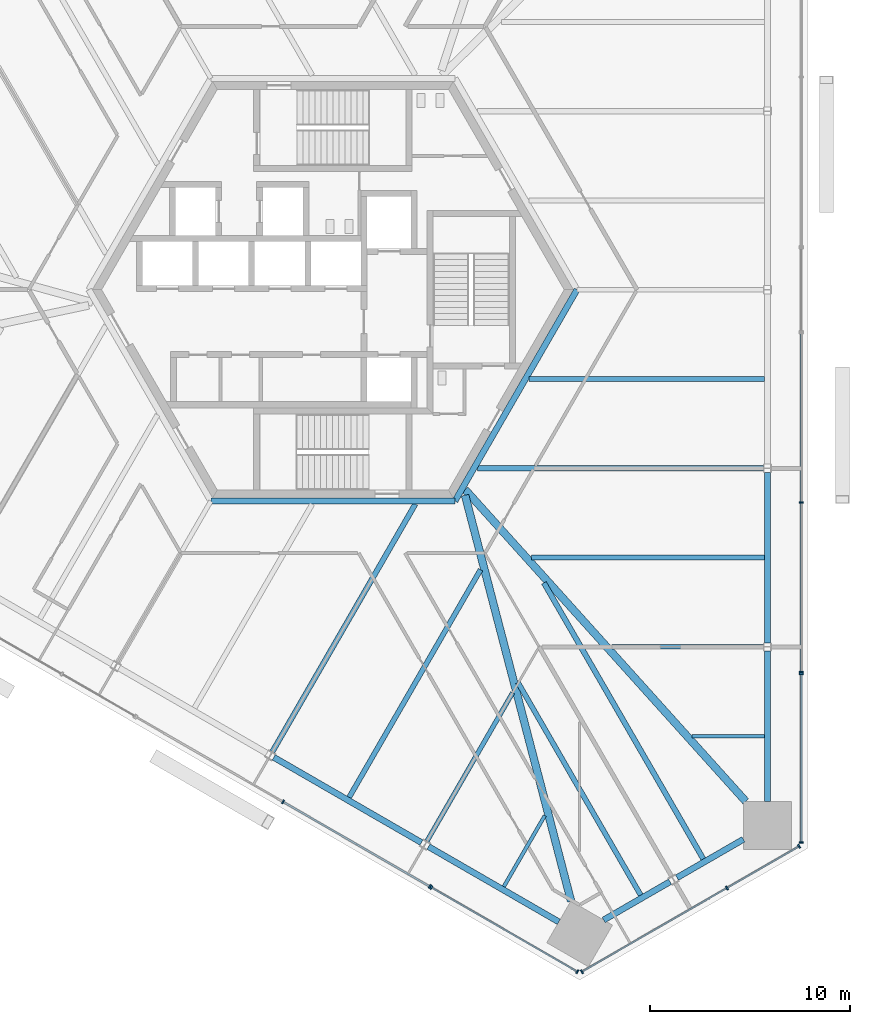
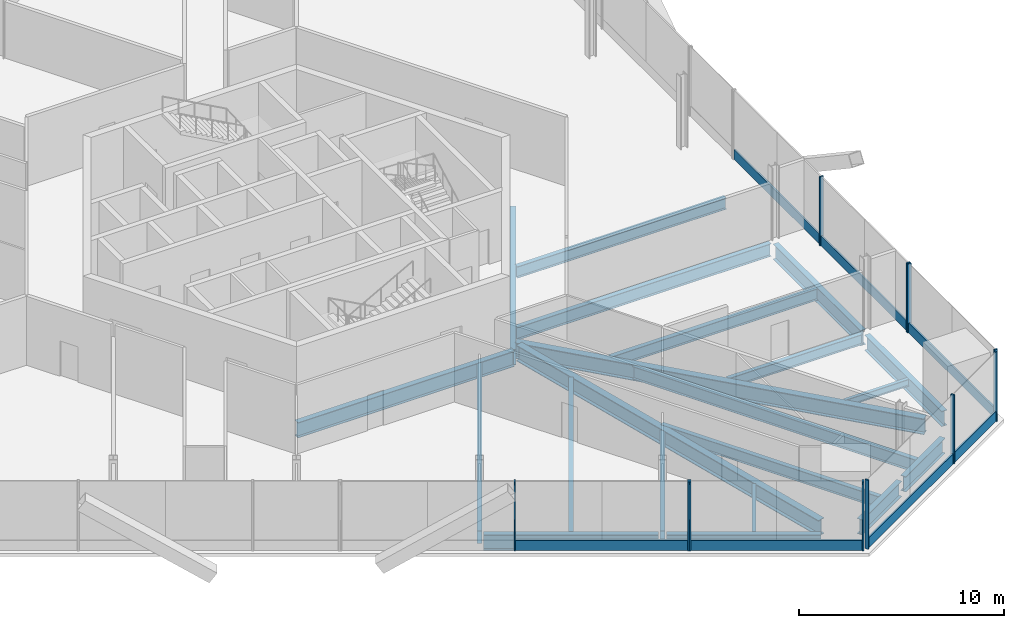
# One storey, part 4 of 16: 21 beams, 18 members, 5 elements without a shape of their own.
"""IFC4 building model written with IfcOpenShell, lengths in metres."""

from ifc_helpers import new_model, si_unit, direction, frame, origin, origin_2d, place, context, subcontext, project, spatial, rectangle, i_section, extrude, source, transform, mapped, material, material_profile, profile_set, type_object, element, aggregate, save


model = new_model("IFC4")

# Units and contexts
model_context = context("Model", 3, precision=1e-05, world=origin(), true_north=direction((0.0, 1.0)))
body_context = subcontext(model_context, "Body", "Model", "MODEL_VIEW")
ifc_project = project(units=[si_unit("LENGTHUNIT", "METRE"), si_unit("AREAUNIT", "SQUARE_METRE"), si_unit("VOLUMEUNIT", "CUBIC_METRE"), si_unit("PLANEANGLEUNIT", "RADIAN"), si_unit("MASSUNIT", "GRAM", prefix="KILO")], contexts=[model_context])

# Site, building, storey
site_placement = place(None, origin())
site = spatial("IfcSite", under=ifc_project, at=site_placement, CompositionType="ELEMENT")
building_placement = place(site_placement, origin())
building = spatial("IfcBuilding", under=site, at=building_placement, Name="Triune Harvest Tower", CompositionType="ELEMENT")
storey_placement = place(building_placement, frame((0.0, 0.0, 37.5)))
storey = spatial("IfcBuildingStorey", under=building, at=storey_placement, Name="L08", CompositionType="ELEMENT", Elevation=37.5)

# Beams
ifc_material_1 = material(Name="Steel ASTM A992 Gr 50", Category="steel")
ifc_material_profile_1 = material_profile(ifc_material_1, i_section(OverallWidth=0.3046875, OverallDepth=0.914306640625, WebThickness=0.0166015625, FlangeThickness=0.02587890625, at=origin_2d()), Name="W36x160")
ifc_profile_set_1 = profile_set([ifc_material_profile_1], Name="Steel ASTM A992 Gr 50")
beam_type_1 = type_object("IfcBeamType", Name="CG-1 Core ring girder W36x160", PredefinedType="BEAM", material=ifc_profile_set_1)
shared_shape_1 = source(origin(), body_context, "Body", "SweptSolid", [
    extrude(i_section(OverallWidth=0.3046875, OverallDepth=0.914306640625, WebThickness=0.0166015625, FlangeThickness=0.02587890625, at=origin_2d()), origin(), (0.0, 0.0, 1.0), 12.176025390625),
])
beam_1_placement = place(storey_placement, frame((6.087890625, -10.544677734375, -0.6572265625), z_axis=(0.5000099932, 0.866019634131, 0.0), x_axis=(-0.866019634131, 0.5000099932, 0.0)))
element("IfcBeam", 1, at=beam_1_placement, inside=storey, type_object=beam_type_1, Name="beam/L08/CG6", PredefinedType="BEAM", context=body_context, shape_type="MappedRepresentation", body=[
    mapped(shared_shape_1, transform((0.0, 0.0, 0.0), scale=1.0)),
])
shared_shape_2 = source(origin(), body_context, "Body", "SweptSolid", [
    extrude(i_section(OverallWidth=0.3046875, OverallDepth=0.914306640625, WebThickness=0.0166015625, FlangeThickness=0.02587890625, at=origin_2d()), origin(), (0.0, 0.0, 1.0), 12.17578125),
])
beam_2_placement = place(storey_placement, frame((-6.087890625, -10.544677734375, -0.6572265625), z_axis=(1.0, 0.0, 0.0), x_axis=(0.0, 1.0, 0.0)))
element("IfcBeam", 2, at=beam_2_placement, inside=storey, type_object=beam_type_1, Name="beam/L08/CG5", PredefinedType="BEAM", context=body_context, shape_type="MappedRepresentation", body=[
    mapped(shared_shape_2, transform((0.0, 0.0, 0.0), scale=1.0)),
])
ifc_material_2 = material(Name="Steel ASTM A992 Gr 50", Category="steel")
ifc_material_profile_2 = material_profile(ifc_material_2, i_section(OverallWidth=0.383544921875, OverallDepth=0.9423828125, WebThickness=0.022216796875, FlangeThickness=0.039794921875, at=origin_2d()), Name="W36x232")
ifc_profile_set_2 = profile_set([ifc_material_profile_2], Name="Steel ASTM A992 Gr 50")
beam_type_2 = type_object("IfcBeamType", Name="HG-1 Hip girder W36x232", PredefinedType="BEAM", material=ifc_profile_set_2)
shared_shape_3 = source(origin(), body_context, "Body", "SweptSolid", [
    extrude(i_section(OverallWidth=0.383544921875, OverallDepth=0.9423828125, WebThickness=0.022216796875, FlangeThickness=0.039794921875, at=origin_2d()), origin(), (0.0, 0.0, 1.0), 20.933349609375),
])
beam_3_placement = place(storey_placement, frame((20.599365234375, -25.530029296875, -0.671142578125), z_axis=(-0.668990505388, 0.743270949049, 0.0), x_axis=(-0.743270949049, -0.668990505388, 0.0)))
element("IfcBeam", 3, at=beam_3_placement, inside=storey, type_object=beam_type_2, Name="beam/L08/HG1", PredefinedType="BEAM", context=body_context, shape_type="MappedRepresentation", body=[
    mapped(shared_shape_3, transform((0.0, 0.0, 0.0), scale=1.0)),
])
shared_shape_4 = source(origin(), body_context, "Body", "SweptSolid", [
    extrude(i_section(OverallWidth=0.383544921875, OverallDepth=0.9423828125, WebThickness=0.022216796875, FlangeThickness=0.039794921875, at=origin_2d()), origin(), (0.0, 0.0, 1.0), 20.931884765625),
])
beam_4_placement = place(storey_placement, frame((11.8828125, -30.50830078125, -0.671142578125), z_axis=(-0.252690148393, 0.967547254094, 0.0), x_axis=(-0.967547254094, -0.252690148393, 0.0)))
element("IfcBeam", 4, at=beam_4_placement, inside=storey, type_object=beam_type_2, Name="beam/L08/HG6", PredefinedType="BEAM", context=body_context, shape_type="MappedRepresentation", body=[
    mapped(shared_shape_4, transform((0.0, 0.0, 0.0), scale=1.0)),
])
ifc_material_3 = material(Name="Steel ASTM A992 Gr 50", Category="steel")
ifc_material_profile_3 = material_profile(ifc_material_3, i_section(OverallWidth=0.22900390625, OverallDepth=0.612060546875, WebThickness=0.011962890625, FlangeThickness=0.01953125, at=origin_2d()), Name="W24x84")
ifc_profile_set_3 = profile_set([ifc_material_profile_3], Name="Steel ASTM A992 Gr 50")
beam_type_3 = type_object("IfcBeamType", Name="JT-3 Floor joist W24x84", PredefinedType="JOIST", material=ifc_profile_set_3)
shared_shape_5 = source(origin(), body_context, "Body", "SweptSolid", [
    extrude(i_section(OverallWidth=0.22900390625, OverallDepth=0.612060546875, WebThickness=0.011962890625, FlangeThickness=0.01953125, at=origin_2d()), origin(), (0.0, 0.0, 1.0), 7.558349609375),
])
beam_5_placement = place(storey_placement, frame((21.476318359375, -17.820068359375, -0.506103515625), z_axis=(-1.0, 0.0, 0.0), x_axis=(0.0, -1.0, 0.0)))
element("IfcBeam", 5, at=beam_5_placement, inside=storey, type_object=beam_type_3, Name="beam/L08/JT2", PredefinedType="JOIST", context=body_context, shape_type="MappedRepresentation", body=[
    mapped(shared_shape_5, transform((0.0, 0.0, 0.0), scale=1.0)),
])
ifc_material_4 = material(Name="Steel ASTM A992 Gr 50", Category="steel")
ifc_material_profile_4 = material_profile(ifc_material_4, i_section(OverallWidth=0.2666015625, OverallDepth=0.7568359375, WebThickness=0.013916015625, FlangeThickness=0.019287109375, at=origin_2d()), Name="W30x108")
ifc_profile_set_4 = profile_set([ifc_material_profile_4], Name="Steel ASTM A992 Gr 50")
beam_type_4 = type_object("IfcBeamType", Name="JT-5 Floor joist W30x108", PredefinedType="JOIST", material=ifc_profile_set_4)
shared_shape_6 = source(origin(), body_context, "Body", "SweptSolid", [
    extrude(i_section(OverallWidth=0.2666015625, OverallDepth=0.7568359375, WebThickness=0.013916015625, FlangeThickness=0.019287109375, at=origin_2d()), origin(), (0.0, 0.0, 1.0), 14.2685546875),
])
for number, where, z_axis, x_axis, name in (
    (6, (21.476318359375, -8.909912109375, -0.57861328125), (-1.0, 0.0, 0.0), (0.0, -1.0, 0.0), "beam/L08/JT4"),
    (7, (-3.02197265625, -23.053955078125, -0.57861328125), (0.499999916269, 0.866025452127, 0.0), (-0.866025452127, 0.499999916269, 0.0), "beam/L08/JT34"),
):
    element("IfcBeam", number, at=place(storey_placement, frame(where, z_axis=z_axis, x_axis=x_axis)), inside=storey, type_object=beam_type_4, Name=name, PredefinedType="JOIST", context=body_context, shape_type="MappedRepresentation", body=[
        mapped(shared_shape_6, transform((0.0, 0.0, 0.0), scale=1.0)),
    ])
shared_shape_7 = source(origin(), body_context, "Body", "SweptSolid", [
    extrude(i_section(OverallWidth=0.22900390625, OverallDepth=0.612060546875, WebThickness=0.011962890625, FlangeThickness=0.01953125, at=origin_2d()), origin(), (0.0, 0.0, 1.0), 8.54736328125),
])
beam_6_placement = place(storey_placement, frame((4.6943359375, -27.509033203125, -0.506103515625), z_axis=(0.499994426748, 0.866028621479, 0.0), x_axis=(-0.866028621479, 0.499994426748, 0.0)))
element("IfcBeam", 8, at=beam_6_placement, inside=storey, type_object=beam_type_3, Name="beam/L08/JT36", PredefinedType="JOIST", context=body_context, shape_type="MappedRepresentation", body=[
    mapped(shared_shape_7, transform((0.0, 0.0, 0.0), scale=1.0)),
])
ifc_material_5 = material(Name="Steel ASTM A992 Gr 50", Category="steel")
ifc_material_profile_5 = material_profile(ifc_material_5, i_section(OverallWidth=0.3046875, OverallDepth=0.914306640625, WebThickness=0.0166015625, FlangeThickness=0.02587890625, at=origin_2d()), Name="W36x160")
ifc_profile_set_5 = profile_set([ifc_material_profile_5], Name="Steel ASTM A992 Gr 50")
beam_type_5 = type_object("IfcBeamType", Name="SB-1 Spandrel beam W36x160", PredefinedType="SPANDREL", material=ifc_profile_set_5)
shared_shape_8 = source(origin(), body_context, "Body", "SweptSolid", [
    extrude(i_section(OverallWidth=0.3046875, OverallDepth=0.914306640625, WebThickness=0.0166015625, FlangeThickness=0.02587890625, at=origin_2d()), origin(), (0.0, 0.0, 1.0), 7.508056640625),
])
beam_7_placement = place(storey_placement, frame((21.679443359375, -25.530029296875, -0.6572265625), z_axis=(0.0, 1.0, 0.0), x_axis=(-1.0, 0.0, 0.0)))
element("IfcBeam", 9, at=beam_7_placement, inside=storey, type_object=beam_type_5, Name="beam/L08/SB1", PredefinedType="SPANDREL", context=body_context, shape_type="MappedRepresentation", body=[
    mapped(shared_shape_8, transform((0.0, 0.0, 0.0), scale=1.0)),
])
shared_shape_9 = source(origin(), body_context, "Body", "SweptSolid", [
    extrude(i_section(OverallWidth=0.3046875, OverallDepth=0.914306640625, WebThickness=0.0166015625, FlangeThickness=0.02587890625, at=origin_2d()), origin(), (0.0, 0.0, 1.0), 8.50634765625),
])
beam_8_placement = place(storey_placement, frame((21.679443359375, -17.6181640625, -0.6572265625), z_axis=(0.0, 1.0, 0.0), x_axis=(-1.0, 0.0, 0.0)))
element("IfcBeam", 10, at=beam_8_placement, inside=storey, type_object=beam_type_5, Name="beam/L08/SB2", PredefinedType="SPANDREL", context=body_context, shape_type="MappedRepresentation", body=[
    mapped(shared_shape_9, transform((0.0, 0.0, 0.0), scale=1.0)),
])
shared_shape_10 = source(origin(), body_context, "Body", "SweptSolid", [
    extrude(i_section(OverallWidth=0.3046875, OverallDepth=0.914306640625, WebThickness=0.0166015625, FlangeThickness=0.02587890625, at=origin_2d()), origin(), (0.0, 0.0, 1.0), 8.506103515625),
])
beam_9_placement = place(storey_placement, frame((-2.948486328125, -23.3310546875, -0.6572265625), z_axis=(0.866030246746, -0.49999161165, 0.0), x_axis=(0.49999161165, 0.866030246746, 0.0)))
element("IfcBeam", 11, at=beam_9_placement, inside=storey, type_object=beam_type_5, Name="beam/L08/SB21", PredefinedType="SPANDREL", context=body_context, shape_type="MappedRepresentation", body=[
    mapped(shared_shape_10, transform((0.0, 0.0, 0.0), scale=1.0)),
])
shared_shape_11 = source(origin(), body_context, "Body", "SweptSolid", [
    extrude(i_section(OverallWidth=0.3046875, OverallDepth=0.914306640625, WebThickness=0.0166015625, FlangeThickness=0.02587890625, at=origin_2d()), origin(), (0.0, 0.0, 1.0), 3.822265625),
])
beam_10_placement = place(storey_placement, frame((17.169189453125, -29.333984375, -0.6572265625), z_axis=(0.866033487859, 0.499985997711, 0.0), x_axis=(-0.499985997711, 0.866033487859, 0.0)))
element("IfcBeam", 12, at=beam_10_placement, inside=storey, type_object=beam_type_5, Name="beam/L08/SB24", PredefinedType="SPANDREL", context=body_context, shape_type="MappedRepresentation", body=[
    mapped(shared_shape_11, transform((0.0, 0.0, 0.0), scale=1.0)),
])
shared_shape_12 = source(origin(), body_context, "Body", "SweptSolid", [
    extrude(i_section(OverallWidth=0.3046875, OverallDepth=0.914306640625, WebThickness=0.0166015625, FlangeThickness=0.02587890625, at=origin_2d()), origin(), (0.0, 0.0, 1.0), 3.822509765625),
])
beam_11_placement = place(storey_placement, frame((13.509033203125, -31.447265625, -0.6572265625), z_axis=(0.866005830769, 0.500033899925, 0.0), x_axis=(-0.500033899925, 0.866005830769, 0.0)))
element("IfcBeam", 13, at=beam_11_placement, inside=storey, type_object=beam_type_5, Name="beam/L08/SB23", PredefinedType="SPANDREL", context=body_context, shape_type="MappedRepresentation", body=[
    mapped(shared_shape_12, transform((0.0, 0.0, 0.0), scale=1.0)),
])
shared_shape_13 = source(origin(), body_context, "Body", "SweptSolid", [
    extrude(i_section(OverallWidth=0.3046875, OverallDepth=0.914306640625, WebThickness=0.0166015625, FlangeThickness=0.02587890625, at=origin_2d()), origin(), (0.0, 0.0, 1.0), 7.50830078125),
])
beam_12_placement = place(storey_placement, frame((4.767578125, -27.785888671875, -0.6572265625), z_axis=(0.866027474485, -0.499996413425, 0.0), x_axis=(0.499996413425, 0.866027474485, 0.0)))
element("IfcBeam", 14, at=beam_12_placement, inside=storey, type_object=beam_type_5, Name="beam/L08/SB22", PredefinedType="SPANDREL", context=body_context, shape_type="MappedRepresentation", body=[
    mapped(shared_shape_13, transform((0.0, 0.0, 0.0), scale=1.0)),
])
ifc_material_6 = material(Name="Steel ASTM A992 Gr 50", Category="steel")
ifc_material_profile_6 = material_profile(ifc_material_6, i_section(OverallWidth=0.180908203125, OverallDepth=0.41650390625, WebThickness=0.010986328125, FlangeThickness=0.01806640625, at=origin_2d()), Name="W16x57")
ifc_profile_set_6 = profile_set([ifc_material_profile_6], Name="Steel ASTM A992 Gr 50")
beam_type_6 = type_object("IfcBeamType", Name="JT-1 Floor joist W16x57", PredefinedType="JOIST", material=ifc_profile_set_6)
shared_shape_14 = source(origin(), body_context, "Body", "SweptSolid", [
    extrude(i_section(OverallWidth=0.180908203125, OverallDepth=0.41650390625, WebThickness=0.010986328125, FlangeThickness=0.01806640625, at=origin_2d()), origin(), (0.0, 0.0, 1.0), 3.599365234375),
])
beam_13_placement = place(storey_placement, frame((21.527099609375, -22.27490234375, -0.408203125), z_axis=(-1.0, 0.0, 0.0), x_axis=(0.0, -1.0, 0.0)))
element("IfcBeam", 15, at=beam_13_placement, inside=storey, type_object=beam_type_6, Name="beam/L08/JT1", PredefinedType="JOIST", context=body_context, shape_type="MappedRepresentation", body=[
    mapped(shared_shape_14, transform((0.0, 0.0, 0.0), scale=1.0)),
])
ifc_material_7 = material(Name="Steel ASTM A992 Gr 50", Category="steel")
ifc_material_profile_7 = material_profile(ifc_material_7, i_section(OverallWidth=0.253662109375, OverallDepth=0.683349609375, WebThickness=0.012451171875, FlangeThickness=0.01904296875, at=origin_2d()), Name="W27x94")
ifc_profile_set_7 = profile_set([ifc_material_profile_7], Name="Steel ASTM A992 Gr 50")
beam_type_7 = type_object("IfcBeamType", Name="JT-4 Floor joist W27x94", PredefinedType="JOIST", material=ifc_profile_set_7)
shared_shape_15 = source(origin(), body_context, "Body", "SweptSolid", [
    extrude(i_section(OverallWidth=0.253662109375, OverallDepth=0.683349609375, WebThickness=0.012451171875, FlangeThickness=0.01904296875, at=origin_2d()), origin(), (0.0, 0.0, 1.0), 11.619140625),
])
beam_14_placement = place(storey_placement, frame((21.527099609375, -13.364990234375, -0.54150390625), z_axis=(-1.0, 0.0, 0.0), x_axis=(0.0, -1.0, 0.0)))
element("IfcBeam", 16, at=beam_14_placement, inside=storey, type_object=beam_type_7, Name="beam/L08/JT3", PredefinedType="JOIST", context=body_context, shape_type="MappedRepresentation", body=[
    mapped(shared_shape_15, transform((0.0, 0.0, 0.0), scale=1.0)),
])
shared_shape_16 = source(origin(), body_context, "Body", "SweptSolid", [
    extrude(i_section(OverallWidth=0.253662109375, OverallDepth=0.683349609375, WebThickness=0.012451171875, FlangeThickness=0.01904296875, at=origin_2d()), origin(), (0.0, 0.0, 1.0), 11.747314453125),
])
beam_15_placement = place(storey_placement, frame((21.527099609375, -4.455078125, -0.54150390625), z_axis=(-1.0, 0.0, 0.0), x_axis=(0.0, -1.0, 0.0)))
element("IfcBeam", 17, at=beam_15_placement, inside=storey, type_object=beam_type_7, Name="beam/L08/JT5", PredefinedType="JOIST", context=body_context, shape_type="MappedRepresentation", body=[
    mapped(shared_shape_16, transform((0.0, 0.0, 0.0), scale=1.0)),
])
shared_shape_17 = source(origin(), body_context, "Body", "SweptSolid", [
    extrude(i_section(OverallWidth=0.253662109375, OverallDepth=0.683349609375, WebThickness=0.012451171875, FlangeThickness=0.01904296875, at=origin_2d()), origin(), (0.0, 0.0, 1.0), 13.110107421875),
])
beam_16_placement = place(storey_placement, frame((0.810791015625, -25.325439453125, -0.54150390625), z_axis=(0.500012613137, 0.866018121464, 0.0), x_axis=(-0.866018121464, 0.500012613137, 0.0)))
element("IfcBeam", 18, at=beam_16_placement, inside=storey, type_object=beam_type_7, Name="beam/L08/JT35", PredefinedType="JOIST", context=body_context, shape_type="MappedRepresentation", body=[
    mapped(shared_shape_17, transform((0.0, 0.0, 0.0), scale=1.0)),
])
shared_shape_18 = source(origin(), body_context, "Body", "SweptSolid", [
    extrude(i_section(OverallWidth=0.180908203125, OverallDepth=0.41650390625, WebThickness=0.010986328125, FlangeThickness=0.01806640625, at=origin_2d()), origin(), (0.0, 0.0, 1.0), 4.08642578125),
])
beam_17_placement = place(storey_placement, frame((8.527099609375, -29.780517578125, -0.408203125), z_axis=(0.500013794443, 0.866017439413, 0.0), x_axis=(-0.866017439413, 0.500013794443, 0.0)))
element("IfcBeam", 19, at=beam_17_placement, inside=storey, type_object=beam_type_6, Name="beam/L08/JT37", PredefinedType="JOIST", context=body_context, shape_type="MappedRepresentation", body=[
    mapped(shared_shape_18, transform((0.0, 0.0, 0.0), scale=1.0)),
])
shared_shape_19 = source(origin(), body_context, "Body", "SweptSolid", [
    extrude(i_section(OverallWidth=0.253662109375, OverallDepth=0.683349609375, WebThickness=0.012451171875, FlangeThickness=0.01904296875, at=origin_2d()), origin(), (0.0, 0.0, 1.0), 12.2509765625),
])
beam_18_placement = place(storey_placement, frame((15.3564453125, -30.20458984375, -0.54150390625), z_axis=(-0.500001335473, 0.866024632748, 0.0), x_axis=(-0.866024632748, -0.500001335473, 0.0)))
element("IfcBeam", 20, at=beam_18_placement, inside=storey, type_object=beam_type_7, Name="beam/L08/JT38", PredefinedType="JOIST", context=body_context, shape_type="MappedRepresentation", body=[
    mapped(shared_shape_19, transform((0.0, 0.0, 0.0), scale=1.0)),
])
shared_shape_20 = source(origin(), body_context, "Body", "SweptSolid", [
    extrude(i_section(OverallWidth=0.2666015625, OverallDepth=0.7568359375, WebThickness=0.013916015625, FlangeThickness=0.019287109375, at=origin_2d()), origin(), (0.0, 0.0, 1.0), 15.90771484375),
])
beam_19_placement = place(storey_placement, frame((18.479736328125, -28.4013671875, -0.57861328125), z_axis=(-0.499996565981, 0.866027386407, 0.0), x_axis=(-0.866027386407, -0.499996565981, 0.0)))
element("IfcBeam", 21, at=beam_19_placement, inside=storey, type_object=beam_type_4, Name="beam/L08/JT39", PredefinedType="JOIST", context=body_context, shape_type="MappedRepresentation", body=[
    mapped(shared_shape_20, transform((0.0, 0.0, 0.0), scale=1.0)),
])

# Curtain wall, members
ifc_material_8 = material(Name="Aluminium bronze anodised", Category="aluminium")
curtain_wall_type_1 = type_object("IfcCurtainWallType", Name="CW-3 Farm floor curtain wall", PredefinedType="NOTDEFINED", material=ifc_material_8)
curtain_wall_1_placement = place(storey_placement, origin())
curtain_wall_1 = element("IfcCurtainWall", 22, at=curtain_wall_1_placement, inside=storey, type_object=curtain_wall_type_1, Name="CW-3 B1-F1 L08 run 1")
ifc_material_9 = material(Name="Aluminium bronze anodised", Category="aluminium")
ifc_material_profile_8 = material_profile(ifc_material_9, rectangle(XDim=0.199951171875, YDim=0.080078125, at=origin_2d()), Name="MU-3 mullion 80 x 200")
ifc_profile_set_8 = profile_set([ifc_material_profile_8], Name="Aluminium bronze anodised")
member_type_1 = type_object("IfcMemberType", Name="MU-3 mullion 80 x 200", PredefinedType="MULLION", material=ifc_profile_set_8)
shared_shape_21 = source(origin(), body_context, "Body", "SweptSolid", [
    extrude(rectangle(XDim=0.199951171875, YDim=0.080078125, at=origin_2d()), origin(), (0.0, 0.0, 1.0), 4.10009765625),
])
member_1_placement = place(storey_placement, frame((23.371337890625, -27.576904296875, 0.0), z_axis=(0.0, 0.0, 1.0), x_axis=(-1.0, 0.0, 0.0)))
member_1 = element("IfcMember", 23, at=member_1_placement, type_object=member_type_1, Name="CW-3 mullion B1-F1 1.1", PredefinedType="MULLION", context=body_context, shape_type="MappedRepresentation", body=[
    mapped(shared_shape_21, transform((0.0, 0.0, 0.0), scale=1.0)),
])
member_2_placement = place(storey_placement, frame((23.371337890625, -19.1591796875, 0.0), z_axis=(0.0, 0.0, 1.0), x_axis=(-1.0, 0.0, 0.0)))
member_2 = element("IfcMember", 24, at=member_2_placement, type_object=member_type_1, Name="CW-3 mullion B1-F1 1.3", PredefinedType="MULLION", context=body_context, shape_type="MappedRepresentation", body=[
    mapped(shared_shape_21, transform((0.0, 0.0, 0.0), scale=1.0)),
])

ifc_material_10 = material(Name="Aluminium bronze anodised", Category="aluminium")
curtain_wall_type_2 = type_object("IfcCurtainWallType", Name="CW-8 Farm floor curtain wall with insulated spandrel infill", PredefinedType="NOTDEFINED", material=ifc_material_10)
curtain_wall_2_placement = place(storey_placement, origin())
curtain_wall_2 = element("IfcCurtainWall", 25, at=curtain_wall_2_placement, inside=storey, type_object=curtain_wall_type_2, Name="CW-8 B1-F1 L08 run 1001")
member_3_placement = place(storey_placement, frame((23.371337890625, -19.079345703125, 0.0), z_axis=(0.0, 0.0, 1.0), x_axis=(-1.0, 0.0, 0.0)))
member_3 = element("IfcMember", 26, at=member_3_placement, type_object=member_type_1, Name="CW-8 mullion B1-F1 1001.1", PredefinedType="MULLION", context=body_context, shape_type="MappedRepresentation", body=[
    mapped(shared_shape_21, transform((0.0, 0.0, 0.0), scale=1.0)),
])
member_4_placement = place(storey_placement, frame((23.371337890625, -10.621826171875, 0.0), z_axis=(0.0, 0.0, 1.0), x_axis=(-1.0, 0.0, 0.0)))
member_4 = element("IfcMember", 27, at=member_4_placement, type_object=member_type_1, Name="CW-8 mullion B1-F1 1001.3", PredefinedType="MULLION", context=body_context, shape_type="MappedRepresentation", body=[
    mapped(shared_shape_21, transform((0.0, 0.0, 0.0), scale=1.0)),
])

curtain_wall_3_placement = place(storey_placement, origin())
curtain_wall_3 = element("IfcCurtainWall", 28, at=curtain_wall_3_placement, inside=storey, type_object=curtain_wall_type_2, Name="CW-8 B1-F5 L08 run 1001")
member_5_placement = place(storey_placement, frame((-2.48681640625, -25.55126953125, 0.0), z_axis=(0.0, 0.0, 1.0), x_axis=(0.500002592159, 0.866023907196, 0.0)))
member_5 = element("IfcMember", 29, at=member_5_placement, type_object=member_type_1, Name="CW-8 mullion B1-F5 1001.3", PredefinedType="MULLION", context=body_context, shape_type="MappedRepresentation", body=[
    mapped(shared_shape_21, transform((0.0, 0.0, 0.0), scale=1.0)),
])
member_6_placement = place(storey_placement, frame((4.83740234375, -29.77978515625, 0.0), z_axis=(0.0, 0.0, 1.0), x_axis=(0.500002592159, 0.866023907196, 0.0)))
member_6 = element("IfcMember", 30, at=member_6_placement, type_object=member_type_1, Name="CW-8 mullion B1-F5 1001.5", PredefinedType="MULLION", context=body_context, shape_type="MappedRepresentation", body=[
    mapped(shared_shape_21, transform((0.0, 0.0, 0.0), scale=1.0)),
])

curtain_wall_4_placement = place(storey_placement, origin())
curtain_wall_4 = element("IfcCurtainWall", 31, at=curtain_wall_4_placement, inside=storey, type_object=curtain_wall_type_1, Name="CW-3 B1-F5 L08 run 2001")
member_7_placement = place(storey_placement, frame((4.90673828125, -29.81982421875, 0.0), z_axis=(0.0, 0.0, 1.0), x_axis=(0.499995239328, 0.866028152342, 0.0)))
member_7 = element("IfcMember", 32, at=member_7_placement, type_object=member_type_1, Name="CW-3 mullion B1-F5 2001.1", PredefinedType="MULLION", context=body_context, shape_type="MappedRepresentation", body=[
    mapped(shared_shape_21, transform((0.0, 0.0, 0.0), scale=1.0)),
])
member_8_placement = place(storey_placement, frame((12.196533203125, -34.028564453125, 0.0), z_axis=(0.0, 0.0, 1.0), x_axis=(0.499995239328, 0.866028152342, 0.0)))
member_8 = element("IfcMember", 33, at=member_8_placement, type_object=member_type_1, Name="CW-3 mullion B1-F5 2001.3", PredefinedType="MULLION", context=body_context, shape_type="MappedRepresentation", body=[
    mapped(shared_shape_21, transform((0.0, 0.0, 0.0), scale=1.0)),
])

curtain_wall_5_placement = place(storey_placement, origin())
curtain_wall_5 = element("IfcCurtainWall", 34, at=curtain_wall_5_placement, inside=storey, type_object=curtain_wall_type_1, Name="CW-3 B1-F6 L08 run 1")
member_9_placement = place(storey_placement, frame((12.421630859375, -34.028564453125, 0.0), z_axis=(0.0, 0.0, 1.0), x_axis=(-0.499998715149, 0.866026145592, 0.0)))
member_9 = element("IfcMember", 35, at=member_9_placement, type_object=member_type_1, Name="CW-3 mullion B1-F6 1.1", PredefinedType="MULLION", context=body_context, shape_type="MappedRepresentation", body=[
    mapped(shared_shape_21, transform((0.0, 0.0, 0.0), scale=1.0)),
])
member_10_placement = place(storey_placement, frame((19.657958984375, -29.850830078125, 0.0), z_axis=(0.0, 0.0, 1.0), x_axis=(-0.499998715149, 0.866026145592, 0.0)))
member_10 = element("IfcMember", 36, at=member_10_placement, type_object=member_type_1, Name="CW-3 mullion B1-F6 1.3", PredefinedType="MULLION", context=body_context, shape_type="MappedRepresentation", body=[
    mapped(shared_shape_21, transform((0.0, 0.0, 0.0), scale=1.0)),
])
member_11_placement = place(storey_placement, frame((23.2587890625, -27.771728515625, 0.0), z_axis=(0.0, 0.0, 1.0), x_axis=(-0.499998715149, 0.866026145592, 0.0)))
member_11 = element("IfcMember", 37, at=member_11_placement, type_object=member_type_1, Name="CW-3 mullion B1-F6 1.4", PredefinedType="MULLION", context=body_context, shape_type="MappedRepresentation", body=[
    mapped(shared_shape_21, transform((0.0, 0.0, 0.0), scale=1.0)),
])
ifc_material_11 = material(Name="Aluminium bronze anodised", Category="aluminium")
ifc_material_profile_9 = material_profile(ifc_material_11, rectangle(XDim=0.090087890625, YDim=0.60009765625, at=origin_2d()), Name="TR-3 transom 90 x 600")
ifc_profile_set_9 = profile_set([ifc_material_profile_9], Name="Aluminium bronze anodised")
member_type_2 = type_object("IfcMemberType", Name="TR-3 transom 90 x 600", PredefinedType="USERDEFINED", material=ifc_profile_set_9)
shared_shape_22 = source(origin(), body_context, "Body", "SweptSolid", [
    extrude(rectangle(XDim=0.090087890625, YDim=0.60009765625, at=origin_2d()), origin(), (0.0, 0.0, 1.0), 4.077880859375),
])
member_12_placement = place(storey_placement, frame((19.692626953125, -29.830810546875, 0.300048828125), z_axis=(0.86600911372, 0.500028214158, 0.0), x_axis=(-0.500028214158, 0.86600911372, 0.0)))
member_12 = element("IfcMember", 38, at=member_12_placement, type_object=member_type_2, Name="CW-3 transom B1-F6 1.2", ObjectType="TRANSOM", PredefinedType="USERDEFINED", context=body_context, shape_type="MappedRepresentation", body=[
    mapped(shared_shape_22, transform((0.0, 0.0, 0.0), scale=1.0)),
])
shared_shape_23 = source(origin(), body_context, "Body", "SweptSolid", [
    extrude(rectangle(XDim=0.090087890625, YDim=0.60009765625, at=origin_2d()), origin(), (0.0, 0.0, 1.0), 8.275634765625),
])
member_13_placement = place(storey_placement, frame((12.456298828125, -34.008544921875, 0.300048828125), z_axis=(0.866034275465, 0.499984633485, 0.0), x_axis=(-0.499984633485, 0.866034275465, 0.0)))
member_13 = element("IfcMember", 39, at=member_13_placement, type_object=member_type_2, Name="CW-3 transom B1-F6 1.1", ObjectType="TRANSOM", PredefinedType="USERDEFINED", context=body_context, shape_type="MappedRepresentation", body=[
    mapped(shared_shape_23, transform((0.0, 0.0, 0.0), scale=1.0)),
])
aggregate(curtain_wall_5, [member_9, member_10, member_11, member_13, member_12])

# Member
shared_shape_24 = source(origin(), body_context, "Body", "SweptSolid", [
    extrude(rectangle(XDim=0.090087890625, YDim=0.60009765625, at=origin_2d()), origin(), (0.0, 0.0, 1.0), 8.37744140625),
])
member_14_placement = place(storey_placement, frame((23.371337890625, -19.039306640625, 0.300048828125), z_axis=(0.0, 1.0, 0.0), x_axis=(-1.0, 0.0, 0.0)))
member_14 = element("IfcMember", 40, at=member_14_placement, type_object=member_type_2, Name="CW-8 transom B1-F1 1001.1", ObjectType="TRANSOM", PredefinedType="USERDEFINED", context=body_context, shape_type="MappedRepresentation", body=[
    mapped(shared_shape_24, transform((0.0, 0.0, 0.0), scale=1.0)),
])

member_15_placement = place(storey_placement, frame((23.371337890625, -10.581787109375, 0.300048828125), z_axis=(0.0, 1.0, 0.0), x_axis=(-1.0, 0.0, 0.0)))
member_15 = element("IfcMember", 41, at=member_15_placement, type_object=member_type_2, Name="CW-8 transom B1-F1 1001.2", ObjectType="TRANSOM", PredefinedType="USERDEFINED", context=body_context, shape_type="MappedRepresentation", body=[
    mapped(shared_shape_24, transform((0.0, 0.0, 0.0), scale=1.0)),
])

aggregate(curtain_wall_2, [member_3, member_4, member_14, member_15])

member_16_placement = place(storey_placement, frame((-2.4521484375, -25.571044921875, 0.300048828125), z_axis=(0.866006986733, -0.500031897912, 0.0), x_axis=(0.500031897912, 0.866006986733, 0.0)))
member_16 = element("IfcMember", 42, at=member_16_placement, type_object=member_type_2, Name="CW-8 transom B1-F5 1001.2", ObjectType="TRANSOM", PredefinedType="USERDEFINED", context=body_context, shape_type="MappedRepresentation", body=[
    mapped(shared_shape_24, transform((0.0, 0.0, 0.0), scale=1.0)),
])

aggregate(curtain_wall_3, [member_5, member_6, member_16])

shared_shape_25 = source(origin(), body_context, "Body", "SweptSolid", [
    extrude(rectangle(XDim=0.090087890625, YDim=0.60009765625, at=origin_2d()), origin(), (0.0, 0.0, 1.0), 8.337646484375),
])
member_17_placement = place(storey_placement, frame((23.371337890625, -27.536865234375, 0.300048828125), z_axis=(0.0, 1.0, 0.0), x_axis=(-1.0, 0.0, 0.0)))
member_17 = element("IfcMember", 43, at=member_17_placement, type_object=member_type_2, Name="CW-3 transom B1-F1 1.1", ObjectType="TRANSOM", PredefinedType="USERDEFINED", context=body_context, shape_type="MappedRepresentation", body=[
    mapped(shared_shape_25, transform((0.0, 0.0, 0.0), scale=1.0)),
])

aggregate(curtain_wall_1, [member_1, member_2, member_17])

shared_shape_26 = source(origin(), body_context, "Body", "SweptSolid", [
    extrude(rectangle(XDim=0.090087890625, YDim=0.60009765625, at=origin_2d()), origin(), (0.0, 0.0, 1.0), 8.33740234375),
])
member_18_placement = place(storey_placement, frame((4.94140625, -29.83984375, 0.300048828125), z_axis=(0.866027105532, -0.499997052475, 0.0), x_axis=(0.499997052475, 0.866027105532, 0.0)))
member_18 = element("IfcMember", 44, at=member_18_placement, type_object=member_type_2, Name="CW-3 transom B1-F5 2001.1", ObjectType="TRANSOM", PredefinedType="USERDEFINED", context=body_context, shape_type="MappedRepresentation", body=[
    mapped(shared_shape_26, transform((0.0, 0.0, 0.0), scale=1.0)),
])

aggregate(curtain_wall_4, [member_7, member_8, member_18])

save(model, "model.ifc")
